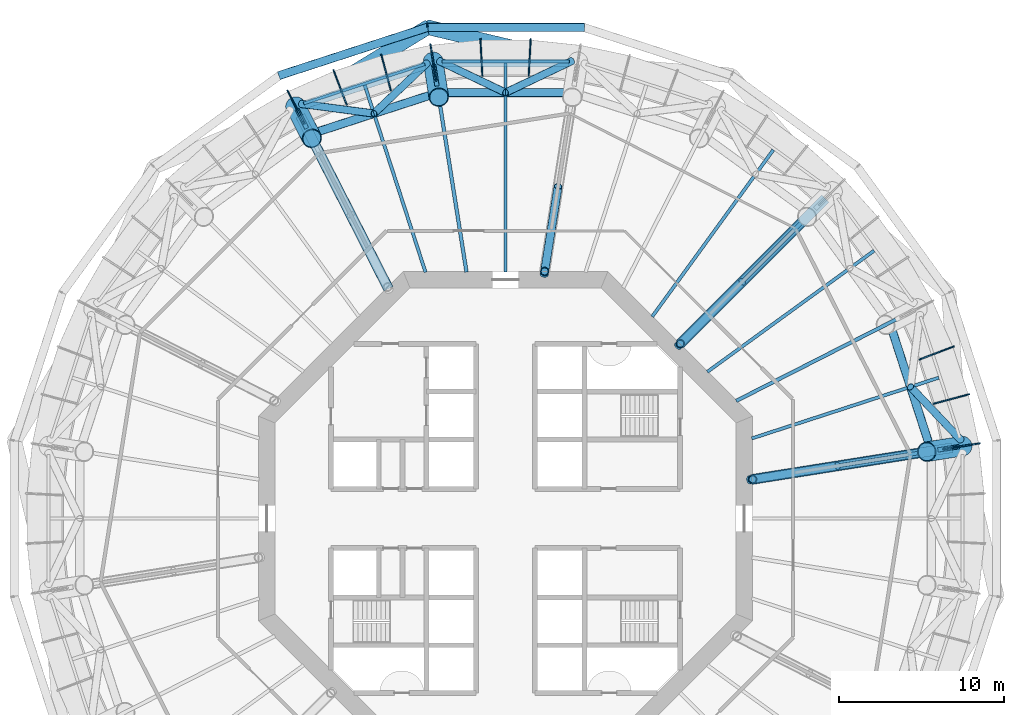
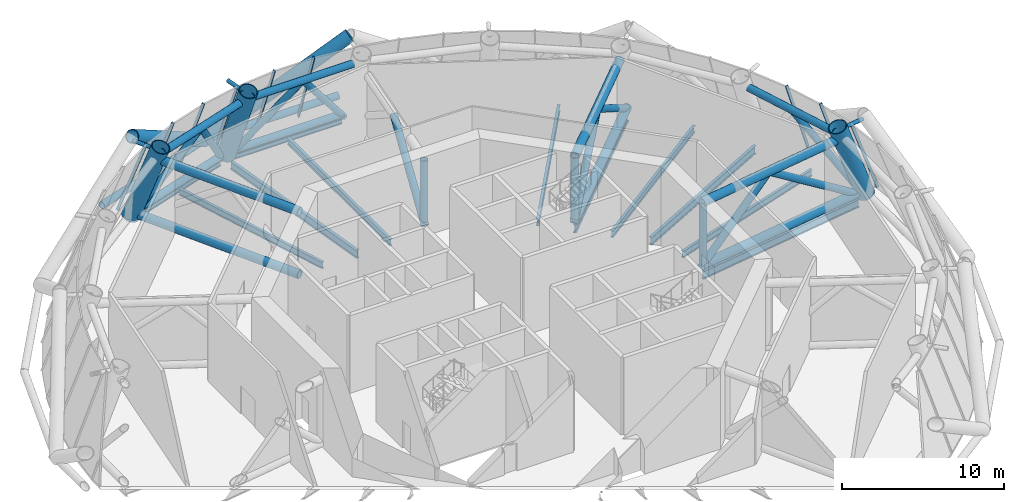
# One storey, part 5 of 15: 43 members, 11 beams, 4 elements without a shape of their own.
"""IFC4 building model written with IfcOpenShell, lengths in metres."""

from ifc_helpers import new_model, si_unit, direction, frame, origin, origin_2d, place, context, subcontext, project, spatial, rectangle, circle, hollow_circle, i_section, extrude, material, layer, layer_set, material_profile, profile_set, type_object, element, aggregate, save


model = new_model("IFC4")

# Units and contexts
model_context = context("Model", 3, precision=1e-05, world=origin(), true_north=direction((0.0, 1.0)))
body_context = subcontext(model_context, "Body", "Model", "MODEL_VIEW")
ifc_project = project(units=[si_unit("LENGTHUNIT", "METRE"), si_unit("AREAUNIT", "SQUARE_METRE"), si_unit("VOLUMEUNIT", "CUBIC_METRE"), si_unit("PLANEANGLEUNIT", "RADIAN"), si_unit("MASSUNIT", "GRAM", prefix="KILO")], contexts=[model_context])

# Site, building, storey
site_placement = place(None, origin())
site = spatial("IfcSite", under=ifc_project, at=site_placement, CompositionType="ELEMENT")
building_placement = place(site_placement, origin())
building = spatial("IfcBuilding", under=site, at=building_placement, Name="Entoto Ring Tower", CompositionType="ELEMENT")
storey_placement = place(building_placement, frame((0.0, 0.0, 200.0)))
storey = spatial("IfcBuildingStorey", under=building, at=storey_placement, Name="L46", CompositionType="ELEMENT", Elevation=200.0)

# Members
ifc_material_1 = material(Name="Steel S355", Category="steel")
ifc_material_profile_1 = material_profile(ifc_material_1, hollow_circle(Radius=0.449951171875, WallThickness=0.044921875, at=origin_2d()), Name="CHS 900 x 45")
ifc_material_2 = material(Name="Concrete C60/75", Category="concrete")
ifc_material_profile_2 = material_profile(ifc_material_2, circle(Radius=0.405029296875, at=origin_2d()), Name="Concrete C60/75 infill")
ifc_profile_set_1 = profile_set([ifc_material_profile_1, ifc_material_profile_2], Name="Steel S355")
member_type_1 = type_object("IfcMemberType", Name="Diagrid diagonal 900 x 45 concrete-filled tube", PredefinedType="BRACE", material=ifc_profile_set_1)
member_1_placement = place(storey_placement, frame((85.275634765625, 109.828125, 0.0), z_axis=(0.818886187126, -0.195432990063, 0.539658557728), x_axis=(0.232137674521, 0.972682939127, 0.0)))
element("IfcMember", 1, at=member_1_placement, inside=storey, type_object=member_type_1, Name="DG2 module 14 05", PredefinedType="BRACE", context=body_context, shape_type="SweptSolid", body=[
    extrude(hollow_circle(Radius=0.449951171875, WallThickness=0.044921875, at=origin_2d()), origin(), (0.0, 0.0, 1.0), 11.1181640625),
])
member_2_placement = place(storey_placement, frame((85.275634765625, 109.828125, 0.0), z_axis=(-0.718410935775, -0.438916670262, 0.539664603179), x_axis=(0.521352941047, -0.853341145652, 0.0)))
element("IfcMember", 2, at=member_2_placement, inside=storey, type_object=member_type_1, Name="DG2 module 14 06", PredefinedType="BRACE", context=body_context, shape_type="SweptSolid", body=[
    extrude(hollow_circle(Radius=0.449951171875, WallThickness=0.044921875, at=origin_2d()), origin(), (0.0, 0.0, 1.0), 11.117919921875),
])
ifc_material_3 = material(Name="Steel S355", Category="steel")
ifc_material_profile_3 = material_profile(ifc_material_3, hollow_circle(Radius=0.136474609375, WallThickness=0.012451171875, at=origin_2d()), Name="CHS 273 x 12.5")
ifc_material_4 = material(Name="Concrete C60/75", Category="concrete")
ifc_material_profile_4 = material_profile(ifc_material_4, circle(Radius=0.1240234375, at=origin_2d()), Name="Concrete C60/75 infill")
ifc_profile_set_2 = profile_set([ifc_material_profile_3, ifc_material_profile_4], Name="Steel S355")
member_type_2 = type_object("IfcMemberType", Name="Diagrid node strut 273 x 12.5", PredefinedType="STRUT", material=ifc_profile_set_2)
for number, where, z_axis, x_axis, name in (
    (3, (116.2578125, 84.158935546875, 5.71337890625), (0.987701157576, 0.156353520338, 0.0), (-0.156353520338, 0.987701157576, 0.0), "DS2 strut ring 14 01"),
    (4, (85.841064453125, 106.2578125, 5.71337890625), (-0.156353520338, 0.987701157576, 0.0), (-0.987701157576, -0.156353520338, 0.0), "DS2 strut ring 14 06"),
):
    element("IfcMember", number, at=place(storey_placement, frame(where, z_axis=z_axis, x_axis=x_axis)), inside=storey, type_object=member_type_2, Name=name, PredefinedType="STRUT", context=body_context, shape_type="SweptSolid", body=[
        extrude(hollow_circle(Radius=0.136474609375, WallThickness=0.012451171875, at=origin_2d()), origin(), (0.0, 0.0, 1.0), 1.314697265625),
    ])
member_3_placement = place(storey_placement, frame((77.9306640625, 103.6875, 5.71337890625), z_axis=(-0.453959157325, 0.891022493252, 0.0), x_axis=(-0.891022493252, -0.453959157325, 0.0)))
element("IfcMember", 5, at=member_3_placement, inside=storey, type_object=member_type_2, Name="DS2 strut ring 14 07", PredefinedType="STRUT", context=body_context, shape_type="SweptSolid", body=[
    extrude(hollow_circle(Radius=0.136474609375, WallThickness=0.012451171875, at=origin_2d()), origin(), (0.0, 0.0, 1.0), 1.31494140625),
])
ifc_material_5 = material(Name="Steel S355", Category="steel")
ifc_material_profile_5 = material_profile(ifc_material_5, hollow_circle(Radius=0.25390625, WallThickness=0.030029296875, at=origin_2d()), Name="CHS 508 x 30")
ifc_material_6 = material(Name="Concrete C60/75", Category="concrete")
ifc_material_profile_6 = material_profile(ifc_material_6, circle(Radius=0.22412109375, at=origin_2d()), Name="Concrete C60/75 infill")
ifc_profile_set_3 = profile_set([ifc_material_profile_5, ifc_material_profile_6], Name="Steel S355")
member_type_3 = type_object("IfcMemberType", Name="Diagrid ring beam 508 x 30", PredefinedType="CHORD", material=ifc_profile_set_3)
member_4_placement = place(storey_placement, frame((94.78466796875, 109.828125, 0.0), z_axis=(-1.0, 0.0, 0.0), x_axis=(0.0, -1.0, 0.0)))
element("IfcMember", 6, at=member_4_placement, inside=storey, type_object=member_type_3, Name="DR2 ring 13 04", PredefinedType="CHORD", context=body_context, shape_type="SweptSolid", body=[
    extrude(hollow_circle(Radius=0.25390625, WallThickness=0.030029296875, at=origin_2d()), origin(), (0.0, 0.0, 1.0), 9.5693359375),
])
member_5_placement = place(storey_placement, frame((85.3330078125, 109.8466796875, 0.0), z_axis=(-0.951064250524, -0.308993189852, 0.0), x_axis=(0.308993189852, -0.951064250524, 0.0)))
element("IfcMember", 7, at=member_5_placement, inside=storey, type_object=member_type_3, Name="DR2 ring 13 05", PredefinedType="CHORD", context=body_context, shape_type="SweptSolid", body=[
    extrude(hollow_circle(Radius=0.25390625, WallThickness=0.030029296875, at=origin_2d()), origin(), (0.0, 0.0, 1.0), 9.569091796875),
])

# Beams
ifc_material_7 = material(Name="Steel S355", Category="steel")
ifc_material_profile_7 = material_profile(ifc_material_7, i_section(OverallWidth=0.169921875, OverallDepth=0.360107421875, WebThickness=0.008056640625, FlangeThickness=0.0126953125, FilletRadius=0.01806640625, at=origin_2d()), Name="IPE 360")
ifc_profile_set_4 = profile_set([ifc_material_profile_7], Name="Steel S355")
beam_type_1 = type_object("IfcBeamType", Name="Edge beam IPE 360", PredefinedType="SPANDREL", material=ifc_profile_set_4)
for number, where, z_axis, x_axis, name in (
    (8, (93.87255859375, 107.754150390625, -0.330078125), (-1.0, 0.0, 0.0), (0.0, -1.0, 0.0), "Edge beam L46 05"),
    (9, (85.1064453125, 107.59228515625, -0.330078125), (-0.951057925874, -0.309012656105, 0.0), (0.309012656105, -0.951057925874, 0.0), "Edge beam L46 06"),
):
    element("IfcBeam", number, at=place(storey_placement, frame(where, z_axis=z_axis, x_axis=x_axis)), inside=storey, type_object=beam_type_1, Name=name, PredefinedType="SPANDREL", context=body_context, shape_type="SweptSolid", body=[
        extrude(i_section(OverallWidth=0.169921875, OverallDepth=0.360107421875, WebThickness=0.008056640625, FlangeThickness=0.0126953125, FilletRadius=0.01806640625, at=origin_2d()), origin(), (0.0, 0.0, 1.0), 7.7451171875),
    ])

# Curtain wall, members
ifc_material_8 = material(Name="Anodised aluminium", Category="aluminium")
ifc_layer = layer(ifc_material_8, 0.10009765625)
ifc_layer_set = layer_set([ifc_layer], Name="Anodised aluminium")
curtain_wall_type = type_object("IfcCurtainWallType", Name="Louvre curtain wall system CW7", PredefinedType="NOTDEFINED", material=ifc_layer_set)
curtain_wall_1_placement = place(storey_placement, origin())
curtain_wall_1 = element("IfcCurtainWall", 10, at=curtain_wall_1_placement, inside=storey, type_object=curtain_wall_type, Name="CW7 L46-01", PredefinedType="NOTDEFINED")
ifc_material_9 = material(Name="Anodised aluminium", Category="aluminium")
ifc_material_profile_8 = material_profile(ifc_material_9, rectangle(XDim=0.080078125, YDim=0.199951171875, at=origin_2d()), Name="Mullion 80 x 200 mm anodised aluminium")
ifc_profile_set_5 = profile_set([ifc_material_profile_8], Name="Anodised aluminium")
member_type_4 = type_object("IfcMemberType", Name="Mullion 80 x 200 mm anodised aluminium", PredefinedType="MULLION", material=ifc_profile_set_5)
member_6_placement = place(storey_placement, frame((118.735595703125, 84.55126953125, 0.034423828125), z_axis=(-0.339989545679, -0.053843242336, 0.938886582119), x_axis=(0.156417995192, -0.987690949022, 0.0)))
member_6 = element("IfcMember", 11, at=member_6_placement, type_object=member_type_4, Name="MULLION L46-00", PredefinedType="MULLION", context=body_context, shape_type="SweptSolid", body=[
    extrude(rectangle(XDim=0.080078125, YDim=0.199951171875, at=origin_2d()), origin(), (0.0, 0.0, 1.0), 6.157470703125),
])
member_7_placement = place(storey_placement, frame((118.1025390625, 87.530029296875, 0.034423828125), z_axis=(-0.332531368364, -0.089090018447, 0.938874782741), x_axis=(0.258787896113, -0.965934172097, 0.0)))
member_7 = element("IfcMember", 12, at=member_7_placement, type_object=member_type_4, Name="MULLION L46-01", PredefinedType="MULLION", context=body_context, shape_type="SweptSolid", body=[
    extrude(rectangle(XDim=0.080078125, YDim=0.199951171875, at=origin_2d()), origin(), (0.0, 0.0, 1.0), 6.15771484375),
])
member_8_placement = place(storey_placement, frame((117.161376953125, 90.42626953125, 0.034423828125), z_axis=(-0.321355925032, -0.123348338405, 0.938890598983), x_axis=(0.358346063241, -0.933588827568, 0.0)))
member_8 = element("IfcMember", 13, at=member_8_placement, type_object=member_type_4, Name="MULLION L46-02", PredefinedType="MULLION", context=body_context, shape_type="SweptSolid", body=[
    extrude(rectangle(XDim=0.080078125, YDim=0.199951171875, at=origin_2d()), origin(), (0.0, 0.0, 1.0), 6.157470703125),
])
aggregate(curtain_wall_1, [member_6, member_7, member_8])

curtain_wall_2_placement = place(storey_placement, origin())
curtain_wall_2 = element("IfcCurtainWall", 14, at=curtain_wall_2_placement, inside=storey, type_object=curtain_wall_type, Name="CW7 L46-05", PredefinedType="NOTDEFINED")
member_9_placement = place(storey_placement, frame((91.522705078125, 109.053955078125, 0.034423828125), z_axis=(-0.018040245499, -0.343755886761, 0.938885743773), x_axis=(0.998625772436, -0.052407696247, 0.0)))
member_9 = element("IfcMember", 15, at=member_9_placement, type_object=member_type_4, Name="MULLION L46-13", PredefinedType="MULLION", context=body_context, shape_type="SweptSolid", body=[
    extrude(rectangle(XDim=0.080078125, YDim=0.199951171875, at=origin_2d()), origin(), (0.0, 0.0, 1.0), 6.157470703125),
])
member_10_placement = place(storey_placement, frame((88.477294921875, 109.053955078125, 0.034423828125), z_axis=(0.018040245499, -0.343755886761, 0.938885743773), x_axis=(0.998625772436, 0.052407696247, 0.0)))
member_10 = element("IfcMember", 16, at=member_10_placement, type_object=member_type_4, Name="MULLION L46-14", PredefinedType="MULLION", context=body_context, shape_type="SweptSolid", body=[
    extrude(rectangle(XDim=0.080078125, YDim=0.199951171875, at=origin_2d()), origin(), (0.0, 0.0, 1.0), 6.157470703125),
])
aggregate(curtain_wall_2, [member_9, member_10])

curtain_wall_3_placement = place(storey_placement, origin())
curtain_wall_3 = element("IfcCurtainWall", 17, at=curtain_wall_3_placement, inside=storey, type_object=curtain_wall_type, Name="CW7 L46-06", PredefinedType="NOTDEFINED")
member_11_placement = place(storey_placement, frame((85.44873046875, 108.735595703125, 0.034423828125), z_axis=(0.053843242336, -0.339989545679, 0.938886582119), x_axis=(0.987690949022, 0.156417995192, 0.0)))
member_11 = element("IfcMember", 18, at=member_11_placement, type_object=member_type_4, Name="MULLION L46-15", PredefinedType="MULLION", context=body_context, shape_type="SweptSolid", body=[
    extrude(rectangle(XDim=0.080078125, YDim=0.199951171875, at=origin_2d()), origin(), (0.0, 0.0, 1.0), 6.157470703125),
])
member_12_placement = place(storey_placement, frame((82.469970703125, 108.1025390625, 0.034423828125), z_axis=(0.089090018447, -0.332531368364, 0.938874782741), x_axis=(0.965934172097, 0.258787896113, 0.0)))
member_12 = element("IfcMember", 19, at=member_12_placement, type_object=member_type_4, Name="MULLION L46-16", PredefinedType="MULLION", context=body_context, shape_type="SweptSolid", body=[
    extrude(rectangle(XDim=0.080078125, YDim=0.199951171875, at=origin_2d()), origin(), (0.0, 0.0, 1.0), 6.15771484375),
])
member_13_placement = place(storey_placement, frame((79.57373046875, 107.161376953125, 0.034423828125), z_axis=(0.123348338405, -0.321355925032, 0.938890598983), x_axis=(0.933588827568, 0.358346063241, 0.0)))
member_13 = element("IfcMember", 20, at=member_13_placement, type_object=member_type_4, Name="MULLION L46-17", PredefinedType="MULLION", context=body_context, shape_type="SweptSolid", body=[
    extrude(rectangle(XDim=0.080078125, YDim=0.199951171875, at=origin_2d()), origin(), (0.0, 0.0, 1.0), 6.157470703125),
])
aggregate(curtain_wall_3, [member_11, member_12, member_13])

# Curtain wall, member
curtain_wall_4_placement = place(storey_placement, origin())
curtain_wall_4 = element("IfcCurtainWall", 21, at=curtain_wall_4_placement, inside=storey, type_object=curtain_wall_type, Name="CW7 L46-07", PredefinedType="NOTDEFINED")
member_14_placement = place(storey_placement, frame((76.791748046875, 105.9228515625, 0.034423828125), z_axis=(0.156256126475, -0.30672352053, 0.938884819822), x_axis=(0.891038617863, 0.453927506851, 0.0)))
member_14 = element("IfcMember", 22, at=member_14_placement, type_object=member_type_4, Name="MULLION L46-18", PredefinedType="MULLION", context=body_context, shape_type="SweptSolid", body=[
    extrude(rectangle(XDim=0.080078125, YDim=0.199951171875, at=origin_2d()), origin(), (0.0, 0.0, 1.0), 6.157470703125),
])
aggregate(curtain_wall_4, [member_14])

# Members
ifc_material_10 = material(Name="Steel S355", Category="steel")
ifc_material_profile_9 = material_profile(ifc_material_10, hollow_circle(Radius=0.304931640625, WallThickness=0.030029296875, at=origin_2d()), Name="CHS 610 x 30")
ifc_material_11 = material(Name="Concrete C60/75", Category="concrete")
ifc_material_profile_10 = material_profile(ifc_material_11, circle(Radius=0.27490234375, at=origin_2d()), Name="Concrete C60/75 infill")
ifc_profile_set_6 = profile_set([ifc_material_profile_9, ifc_material_profile_10], Name="Steel S355")
member_type_5 = type_object("IfcMemberType", Name="Outrigger chord 610 x 30", PredefinedType="CHORD", material=ifc_profile_set_6)
member_15_placement = place(storey_placement, frame((104.9326171875, 82.364990234375, 0.304931640625), z_axis=(0.987686484506, 0.156446183477, 0.0), x_axis=(-0.156446183477, 0.987686484506, 0.0)))
element("IfcMember", 23, at=member_15_placement, inside=storey, type_object=member_type_5, Name="OR1B L46 bottom 01", PredefinedType="CHORD", context=body_context, shape_type="SweptSolid", body=[
    extrude(hollow_circle(Radius=0.304931640625, WallThickness=0.030029296875, at=origin_2d()), origin(), (0.0, 0.0, 1.0), 12.339111328125),
])
member_16_placement = place(storey_placement, frame((104.9326171875, 82.364990234375, 5.044921875), z_axis=(0.98768760003, 0.156439140715, 0.0), x_axis=(-0.156439140715, 0.98768760003, 0.0)))
element("IfcMember", 24, at=member_16_placement, inside=storey, type_object=member_type_5, Name="OR1B L46 top 01", PredefinedType="CHORD", context=body_context, shape_type="SweptSolid", body=[
    extrude(hollow_circle(Radius=0.304931640625, WallThickness=0.030029296875, at=origin_2d()), origin(), (0.0, 0.0, 1.0), 10.601318359375),
])
member_17_placement = place(storey_placement, frame((100.592529296875, 90.592529296875, 0.304931640625), z_axis=(0.707106781187, 0.707106781187, 0.0), x_axis=(-0.707106781187, 0.707106781187, 0.0)))
element("IfcMember", 25, at=member_17_placement, inside=storey, type_object=member_type_5, Name="OR1B L46 bottom 02", PredefinedType="CHORD", context=body_context, shape_type="SweptSolid", body=[
    extrude(hollow_circle(Radius=0.304931640625, WallThickness=0.030029296875, at=origin_2d()), origin(), (0.0, 0.0, 1.0), 12.47802734375),
])
member_18_placement = place(storey_placement, frame((100.592529296875, 90.592529296875, 5.044921875), z_axis=(0.707106781187, 0.707106781187, 0.0), x_axis=(-0.707106781187, 0.707106781187, 0.0)))
element("IfcMember", 26, at=member_18_placement, inside=storey, type_object=member_type_5, Name="OR1B L46 top 02", PredefinedType="CHORD", context=body_context, shape_type="SweptSolid", body=[
    extrude(hollow_circle(Radius=0.304931640625, WallThickness=0.030029296875, at=origin_2d()), origin(), (0.0, 0.0, 1.0), 10.739990234375),
])
member_19_placement = place(storey_placement, frame((82.893798828125, 93.94677734375, 0.304931640625), z_axis=(-0.453992388854, 0.891005561634, 0.0), x_axis=(-0.891005561634, -0.453992388854, 0.0)))
element("IfcMember", 27, at=member_19_placement, inside=storey, type_object=member_type_5, Name="OR1B L46 bottom 04", PredefinedType="CHORD", context=body_context, shape_type="SweptSolid", body=[
    extrude(hollow_circle(Radius=0.304931640625, WallThickness=0.030029296875, at=origin_2d()), origin(), (0.0, 0.0, 1.0), 11.804931640625),
])
member_20_placement = place(storey_placement, frame((82.893798828125, 93.94677734375, 5.044921875), z_axis=(-0.453991173324, 0.891006180979, 0.0), x_axis=(-0.891006180979, -0.453991173324, 0.0)))
element("IfcMember", 28, at=member_20_placement, inside=storey, type_object=member_type_5, Name="OR1B L46 top 04", PredefinedType="CHORD", context=body_context, shape_type="SweptSolid", body=[
    extrude(hollow_circle(Radius=0.304931640625, WallThickness=0.030029296875, at=origin_2d()), origin(), (0.0, 0.0, 1.0), 10.06689453125),
])
ifc_material_12 = material(Name="Steel S355", Category="steel")
ifc_material_profile_11 = material_profile(ifc_material_12, hollow_circle(Radius=0.25390625, WallThickness=0.030029296875, at=origin_2d()), Name="CHS 508 x 30")
ifc_material_13 = material(Name="Concrete C60/75", Category="concrete")
ifc_material_profile_12 = material_profile(ifc_material_13, circle(Radius=0.22412109375, at=origin_2d()), Name="Concrete C60/75 infill")
ifc_profile_set_7 = profile_set([ifc_material_profile_11, ifc_material_profile_12], Name="Steel S355")
member_type_6 = type_object("IfcMemberType", Name="Outrigger diagonal 508 x 30", PredefinedType="BRACE", material=ifc_profile_set_7)
member_21_placement = place(storey_placement, frame((104.812255859375, 82.345947265625, 0.1328125), z_axis=(0.731953812431, 0.115929950961, 0.671419289966), x_axis=(-0.156434275531, 0.98768837061, 0.0)))
element("IfcMember", 29, at=member_21_placement, inside=storey, type_object=member_type_6, Name="OR2B L46 01 1", PredefinedType="BRACE", context=body_context, shape_type="SweptSolid", body=[
    extrude(hollow_circle(Radius=0.25390625, WallThickness=0.030029296875, at=origin_2d()), origin(), (0.0, 0.0, 1.0), 7.31591796875),
])
member_22_placement = place(storey_placement, frame((110.167236328125, 83.194091796875, 5.044921875), z_axis=(0.816713646916, 0.129356416621, -0.562357303162), x_axis=(-0.156436450262, 0.987688026165, 0.0)))
element("IfcMember", 30, at=member_22_placement, inside=storey, type_object=member_type_6, Name="OR2B L46 01 2", PredefinedType="BRACE", context=body_context, shape_type="SweptSolid", body=[
    extrude(hollow_circle(Radius=0.25390625, WallThickness=0.030029296875, at=origin_2d()), origin(), (0.0, 0.0, 1.0), 8.57421875),
])
member_23_placement = place(storey_placement, frame((100.4765625, 90.4765625, 0.141357421875), z_axis=(0.528183660493, 0.528183660493, 0.664863927113), x_axis=(-0.707106781187, 0.707106781187, 0.0)))
element("IfcMember", 31, at=member_23_placement, inside=storey, type_object=member_type_6, Name="OR2B L46 02 1", PredefinedType="BRACE", context=body_context, shape_type="SweptSolid", body=[
    extrude(hollow_circle(Radius=0.25390625, WallThickness=0.030029296875, at=origin_2d()), origin(), (0.0, 0.0, 1.0), 7.375244140625),
])
member_24_placement = place(storey_placement, frame((104.3720703125, 94.3720703125, 5.044921875), z_axis=(0.587151050973, 0.587151050973, -0.557231806956), x_axis=(-0.707106781187, 0.707106781187, 0.0)))
element("IfcMember", 32, at=member_24_placement, inside=storey, type_object=member_type_6, Name="OR2B L46 02 2", PredefinedType="BRACE", context=body_context, shape_type="SweptSolid", body=[
    extrude(hollow_circle(Radius=0.25390625, WallThickness=0.030029296875, at=origin_2d()), origin(), (0.0, 0.0, 1.0), 8.649658203125),
])
member_25_placement = place(storey_placement, frame((92.345947265625, 94.812255859375, 0.1328125), z_axis=(0.115929950961, 0.731953812431, 0.671419289966), x_axis=(-0.98768837061, 0.156434275531, 0.0)))
element("IfcMember", 33, at=member_25_placement, inside=storey, type_object=member_type_6, Name="OR2B L46 03 1", PredefinedType="BRACE", context=body_context, shape_type="SweptSolid", body=[
    extrude(hollow_circle(Radius=0.25390625, WallThickness=0.030029296875, at=origin_2d()), origin(), (0.0, 0.0, 1.0), 7.31591796875),
])
ifc_material_14 = material(Name="Steel S355", Category="steel")
ifc_material_profile_13 = material_profile(ifc_material_14, hollow_circle(Radius=0.25390625, WallThickness=0.030029296875, at=origin_2d()), Name="CHS 508 x 30")
ifc_material_15 = material(Name="Concrete C60/75", Category="concrete")
ifc_material_profile_14 = material_profile(ifc_material_15, circle(Radius=0.22412109375, at=origin_2d()), Name="Concrete C60/75 infill")
ifc_profile_set_8 = profile_set([ifc_material_profile_13, ifc_material_profile_14], Name="Steel S355")
member_type_7 = type_object("IfcMemberType", Name="Outrigger post 508 x 30", PredefinedType="POST", material=ifc_profile_set_8)
for number, where, z_axis, x_axis, name in (
    (34, (105.0, 82.375732421875, 0.304931640625), (0.0, 0.0, 1.0), (1.0, 0.0, 0.0), "OR3 L46 01"),
    (35, (100.606689453125, 90.606689453125, 0.304931640625), (0.0, 0.0, 1.0), (1.0, 0.0, 0.0), "OR3 L46 02"),
    (36, (92.375732421875, 95.0, 0.304931640625), (0.0, 0.0, 1.0), (1.0, 0.0, 0.0), "OR3 L46 03"),
):
    element("IfcMember", number, at=place(storey_placement, frame(where, z_axis=z_axis, x_axis=x_axis)), inside=storey, type_object=member_type_7, Name=name, PredefinedType="POST", context=body_context, shape_type="SweptSolid", body=[
        extrude(hollow_circle(Radius=0.25390625, WallThickness=0.030029296875, at=origin_2d()), origin(), (0.0, 0.0, 1.0), 4.739990234375),
    ])

# Beams
ifc_material_16 = material(Name="Steel S355", Category="steel")
ifc_material_profile_15 = material_profile(ifc_material_16, i_section(OverallWidth=0.219970703125, OverallDepth=0.60009765625, WebThickness=0.011962890625, FlangeThickness=0.01904296875, FilletRadius=0.02392578125, at=origin_2d()), Name="IPE 600")
ifc_profile_set_9 = profile_set([ifc_material_profile_15], Name="Steel S355")
beam_type_2 = type_object("IfcBeamType", Name="Primary floor beam IPE 600", PredefinedType="BEAM", material=ifc_profile_set_9)
beam_1_placement = place(storey_placement, frame((104.963134765625, 82.369873046875, -0.449951171875), z_axis=(0.987687213789, 0.156441579247, 0.0), x_axis=(-0.156441579247, 0.987687213789, 0.0)))
element("IfcBeam", 37, at=beam_1_placement, inside=storey, type_object=beam_type_2, Name="Primary L46 R01", PredefinedType="BEAM", context=body_context, shape_type="SweptSolid", body=[
    extrude(i_section(OverallWidth=0.219970703125, OverallDepth=0.60009765625, WebThickness=0.011962890625, FlangeThickness=0.01904296875, FilletRadius=0.02392578125, at=origin_2d()), origin(), (0.0, 0.0, 1.0), 12.431640625),
])
beam_2_placement = place(storey_placement, frame((104.003173828125, 87.135009765625, -0.449951171875), z_axis=(0.891010444609, 0.453982805399, 0.0), x_axis=(-0.453982805399, 0.891010444609, 0.0)))
element("IfcBeam", 38, at=beam_2_placement, inside=storey, type_object=beam_type_2, Name="Primary L46 R02", PredefinedType="BEAM", context=body_context, shape_type="SweptSolid", body=[
    extrude(i_section(OverallWidth=0.219970703125, OverallDepth=0.60009765625, WebThickness=0.011962890625, FlangeThickness=0.01904296875, FilletRadius=0.02392578125, at=origin_2d()), origin(), (0.0, 0.0, 1.0), 11.864990234375),
])
beam_3_placement = place(storey_placement, frame((100.592529296875, 90.592529296875, -0.449951171875), z_axis=(0.707106781187, 0.707106781187, 0.0), x_axis=(-0.707106781187, 0.707106781187, 0.0)))
element("IfcBeam", 39, at=beam_3_placement, inside=storey, type_object=beam_type_2, Name="Primary L46 R03", PredefinedType="BEAM", context=body_context, shape_type="SweptSolid", body=[
    extrude(i_section(OverallWidth=0.219970703125, OverallDepth=0.60009765625, WebThickness=0.011962890625, FlangeThickness=0.01904296875, FilletRadius=0.02392578125, at=origin_2d()), origin(), (0.0, 0.0, 1.0), 12.601318359375),
])
beam_4_placement = place(storey_placement, frame((87.630126953125, 94.963134765625, -0.449951171875), z_axis=(-0.156441579247, 0.987687213789, 0.0), x_axis=(-0.987687213789, -0.156441579247, 0.0)))
element("IfcBeam", 40, at=beam_4_placement, inside=storey, type_object=beam_type_2, Name="Primary L46 R06", PredefinedType="BEAM", context=body_context, shape_type="SweptSolid", body=[
    extrude(i_section(OverallWidth=0.219970703125, OverallDepth=0.60009765625, WebThickness=0.011962890625, FlangeThickness=0.01904296875, FilletRadius=0.02392578125, at=origin_2d()), origin(), (0.0, 0.0, 1.0), 12.431640625),
])

# Members
ifc_material_17 = material(Name="Steel S355", Category="steel")
ifc_material_profile_16 = material_profile(ifc_material_17, hollow_circle(Radius=0.60009765625, WallThickness=0.054931640625, at=origin_2d()), Name="CHS 1200 x 55")
ifc_material_18 = material(Name="Concrete C60/75", Category="concrete")
ifc_material_profile_17 = material_profile(ifc_material_18, circle(Radius=0.544921875, at=origin_2d()), Name="Concrete C60/75 infill")
ifc_profile_set_10 = profile_set([ifc_material_profile_16, ifc_material_profile_17], Name="Steel S355")
member_type_8 = type_object("IfcMemberType", Name="Ring column jog 1200 x 55 concrete-filled tube", PredefinedType="STRUT", material=ifc_profile_set_10)
for number, where, z_axis, x_axis, name in (
    (41, (117.754150390625, 84.395751953125, 0.0), (-0.340041863298, -0.053827545825, 0.938868535267), (0.156350040137, -0.987701708488, 0.0), "RJ3B R01"),
    (42, (85.604248046875, 107.754150390625, 0.0), (0.053827545825, -0.340041863298, 0.938868535267), (0.987701708488, 0.156350040137, 0.0), "RJ3B R06"),
    (43, (77.242919921875, 105.037353515625, 0.0), (0.156288439927, -0.306731822092, 0.938876729322), (0.891005618941, 0.453992276384, 0.0), "RJ3B R07"),
):
    element("IfcMember", number, at=place(storey_placement, frame(where, z_axis=z_axis, x_axis=x_axis)), inside=storey, type_object=member_type_8, Name=name, PredefinedType="STRUT", context=body_context, shape_type="SweptSolid", body=[
        extrude(hollow_circle(Radius=0.60009765625, WallThickness=0.054931640625, at=origin_2d()), origin(), (0.0, 0.0, 1.0), 6.390625),
    ])
ifc_material_19 = material(Name="Steel S355", Category="steel")
ifc_material_profile_18 = material_profile(ifc_material_19, hollow_circle(Radius=0.25390625, WallThickness=0.030029296875, at=origin_2d()), Name="CHS 508 x 30")
ifc_material_20 = material(Name="Concrete C60/75", Category="concrete")
ifc_material_profile_19 = material_profile(ifc_material_20, circle(Radius=0.22412109375, at=origin_2d()), Name="Concrete C60/75 infill")
ifc_profile_set_11 = profile_set([ifc_material_profile_18, ifc_material_profile_19], Name="Steel S355")
member_type_9 = type_object("IfcMemberType", Name="Ring truss chord 508 x 30", PredefinedType="CHORD", material=ifc_profile_set_11)
member_26_placement = place(storey_placement, frame((115.695068359375, 84.59619140625, 5.236083984375), z_axis=(-0.308994809906, 0.95106372418, 0.0), x_axis=(-0.95106372418, -0.308994809906, 0.0)))
element("IfcMember", 44, at=member_26_placement, inside=storey, type_object=member_type_9, Name="BT1 L46 top 01", PredefinedType="CHORD", context=body_context, shape_type="SweptSolid", body=[
    extrude(hollow_circle(Radius=0.25390625, WallThickness=0.030029296875, at=origin_2d()), origin(), (0.0, 0.0, 1.0), 7.137939453125),
])
member_27_placement = place(storey_placement, frame((93.854736328125, 107.662109375, 0.25390625), z_axis=(-1.0, 0.0, 0.0), x_axis=(0.0, -1.0, 0.0)))
element("IfcMember", 45, at=member_27_placement, inside=storey, type_object=member_type_9, Name="BT1 L46 bottom 05", PredefinedType="CHORD", context=body_context, shape_type="SweptSolid", body=[
    extrude(hollow_circle(Radius=0.25390625, WallThickness=0.030029296875, at=origin_2d()), origin(), (0.0, 0.0, 1.0), 7.70947265625),
])
member_28_placement = place(storey_placement, frame((93.56884765625, 105.85791015625, 5.236083984375), z_axis=(-1.0, 0.0, 0.0), x_axis=(0.0, -1.0, 0.0)))
element("IfcMember", 46, at=member_28_placement, inside=storey, type_object=member_type_9, Name="BT1 L46 top 05", PredefinedType="CHORD", context=body_context, shape_type="SweptSolid", body=[
    extrude(hollow_circle(Radius=0.25390625, WallThickness=0.030029296875, at=origin_2d()), origin(), (0.0, 0.0, 1.0), 7.1376953125),
])
member_29_placement = place(storey_placement, frame((85.117919921875, 107.499267578125, 0.25390625), z_axis=(-0.951056407564, -0.309017329016, 0.0), x_axis=(0.309017329016, -0.951056407564, 0.0)))
element("IfcMember", 47, at=member_29_placement, inside=storey, type_object=member_type_9, Name="BT1 L46 bottom 06", PredefinedType="CHORD", context=body_context, shape_type="SweptSolid", body=[
    extrude(hollow_circle(Radius=0.25390625, WallThickness=0.030029296875, at=origin_2d()), origin(), (0.0, 0.0, 1.0), 7.70947265625),
])
member_30_placement = place(storey_placement, frame((85.40380859375, 105.695068359375, 5.236083984375), z_axis=(-0.95106372418, -0.308994809906, 0.0), x_axis=(0.308994809906, -0.95106372418, 0.0)))
element("IfcMember", 48, at=member_30_placement, inside=storey, type_object=member_type_9, Name="BT1 L46 top 06", PredefinedType="CHORD", context=body_context, shape_type="SweptSolid", body=[
    extrude(hollow_circle(Radius=0.25390625, WallThickness=0.030029296875, at=origin_2d()), origin(), (0.0, 0.0, 1.0), 7.137939453125),
])
ifc_material_21 = material(Name="Steel S355", Category="steel")
ifc_material_profile_20 = material_profile(ifc_material_21, hollow_circle(Radius=0.228515625, WallThickness=0.02001953125, at=origin_2d()), Name="CHS 457 x 20")
ifc_material_22 = material(Name="Concrete C60/75", Category="concrete")
ifc_material_profile_21 = material_profile(ifc_material_22, circle(Radius=0.20849609375, at=origin_2d()), Name="Concrete C60/75 infill")
ifc_profile_set_12 = profile_set([ifc_material_profile_20, ifc_material_profile_21], Name="Steel S355")
member_type_10 = type_object("IfcMemberType", Name="Ring truss diagonal 457 x 20", PredefinedType="BRACE", material=ifc_profile_set_12)
for number, where, z_axis, x_axis, name in (
    (49, (117.64794921875, 84.771484375, -0.041748046875), (-0.4431081302, 0.466792960745, 0.765349277618), (-0.725267185496, -0.688467508052, 0.0), "BT2 L46 01 a"),
    (50, (94.005859375, 107.769287109375, -0.041748046875), (-0.580890180313, -0.277169016435, 0.76533909788), (0.430635910713, -0.902525740577, 0.0), "BT2 L46 05 a"),
    (51, (90.0, 105.85791015625, 5.236083984375), (-0.580890180313, 0.277169016435, -0.76533909788), (-0.430635910713, -0.902525740577, 0.0), "BT2 L46 05 b"),
    (52, (85.228515625, 107.64794921875, -0.041748046875), (-0.466792960745, -0.4431081302, 0.765349277618), (0.688467508052, -0.725267185496, 0.0), "BT2 L46 06 a"),
    (53, (82.009521484375, 104.59228515625, 5.236083984375), (-0.638105407781, 0.084082353722, -0.765344135898), (-0.130639486565, -0.991429939305, 0.0), "BT2 L46 06 b"),
):
    element("IfcMember", number, at=place(storey_placement, frame(where, z_axis=z_axis, x_axis=x_axis)), inside=storey, type_object=member_type_10, Name=name, PredefinedType="BRACE", context=body_context, shape_type="SweptSolid", body=[
        extrude(hollow_circle(Radius=0.228515625, WallThickness=0.02001953125, at=origin_2d()), origin(), (0.0, 0.0, 1.0), 6.89599609375),
    ])

# Beams
ifc_material_23 = material(Name="Steel S355", Category="steel")
ifc_material_profile_22 = material_profile(ifc_material_23, i_section(OverallWidth=0.199951171875, OverallDepth=0.5, WebThickness=0.01025390625, FlangeThickness=0.01611328125, FilletRadius=0.02099609375, at=origin_2d()), Name="IPE 500")
ifc_profile_set_13 = profile_set([ifc_material_profile_22], Name="Steel S355")
beam_type_3 = type_object("IfcBeamType", Name="Secondary floor beam IPE 500", PredefinedType="JOIST", material=ifc_profile_set_13)
beam_5_placement = place(storey_placement, frame((104.9501953125, 84.857666015625, -0.39990234375), z_axis=(0.951056587506, 0.30901677521, 0.0), x_axis=(-0.30901677521, 0.951056587506, 0.0)))
element("IfcBeam", 54, at=beam_5_placement, inside=storey, type_object=beam_type_3, Name="Secondary beam L46 01", PredefinedType="JOIST", context=body_context, shape_type="SweptSolid", body=[
    extrude(i_section(OverallWidth=0.199951171875, OverallDepth=0.5, WebThickness=0.01025390625, FlangeThickness=0.01611328125, FilletRadius=0.02099609375, at=origin_2d()), origin(), (0.0, 0.0, 1.0), 11.94970703125),
])
for number, where, z_axis, x_axis, name in (
    (55, (102.257568359375, 88.905517578125, -0.39990234375), (0.80901431041, 0.587788946436, 0.0), (-0.587788946436, 0.80901431041, 0.0), "Secondary beam L46 02"),
    (56, (98.905517578125, 92.257568359375, -0.39990234375), (0.587788946436, 0.80901431041, 0.0), (-0.80901431041, 0.587788946436, 0.0), "Secondary beam L46 03"),
):
    element("IfcBeam", number, at=place(storey_placement, frame(where, z_axis=z_axis, x_axis=x_axis)), inside=storey, type_object=beam_type_3, Name=name, PredefinedType="JOIST", context=body_context, shape_type="SweptSolid", body=[
        extrude(i_section(OverallWidth=0.199951171875, OverallDepth=0.5, WebThickness=0.01025390625, FlangeThickness=0.01611328125, FilletRadius=0.02099609375, at=origin_2d()), origin(), (0.0, 0.0, 1.0), 12.51806640625),
    ])
beam_6_placement = place(storey_placement, frame((90.0, 94.97998046875, -0.39990234375), z_axis=(0.0, 1.0, 0.0), x_axis=(-1.0, 0.0, 0.0)))
element("IfcBeam", 57, at=beam_6_placement, inside=storey, type_object=beam_type_3, Name="Secondary beam L46 05", PredefinedType="JOIST", context=body_context, shape_type="SweptSolid", body=[
    extrude(i_section(OverallWidth=0.199951171875, OverallDepth=0.5, WebThickness=0.01025390625, FlangeThickness=0.01611328125, FilletRadius=0.02099609375, at=origin_2d()), origin(), (0.0, 0.0, 1.0), 12.68896484375),
])
beam_7_placement = place(storey_placement, frame((85.142333984375, 94.9501953125, -0.39990234375), z_axis=(-0.30901677521, 0.951056587506, 0.0), x_axis=(-0.951056587506, -0.30901677521, 0.0)))
element("IfcBeam", 58, at=beam_7_placement, inside=storey, type_object=beam_type_3, Name="Secondary beam L46 06", PredefinedType="JOIST", context=body_context, shape_type="SweptSolid", body=[
    extrude(i_section(OverallWidth=0.199951171875, OverallDepth=0.5, WebThickness=0.01025390625, FlangeThickness=0.01611328125, FilletRadius=0.02099609375, at=origin_2d()), origin(), (0.0, 0.0, 1.0), 11.94970703125),
])

save(model, "model.ifc")
